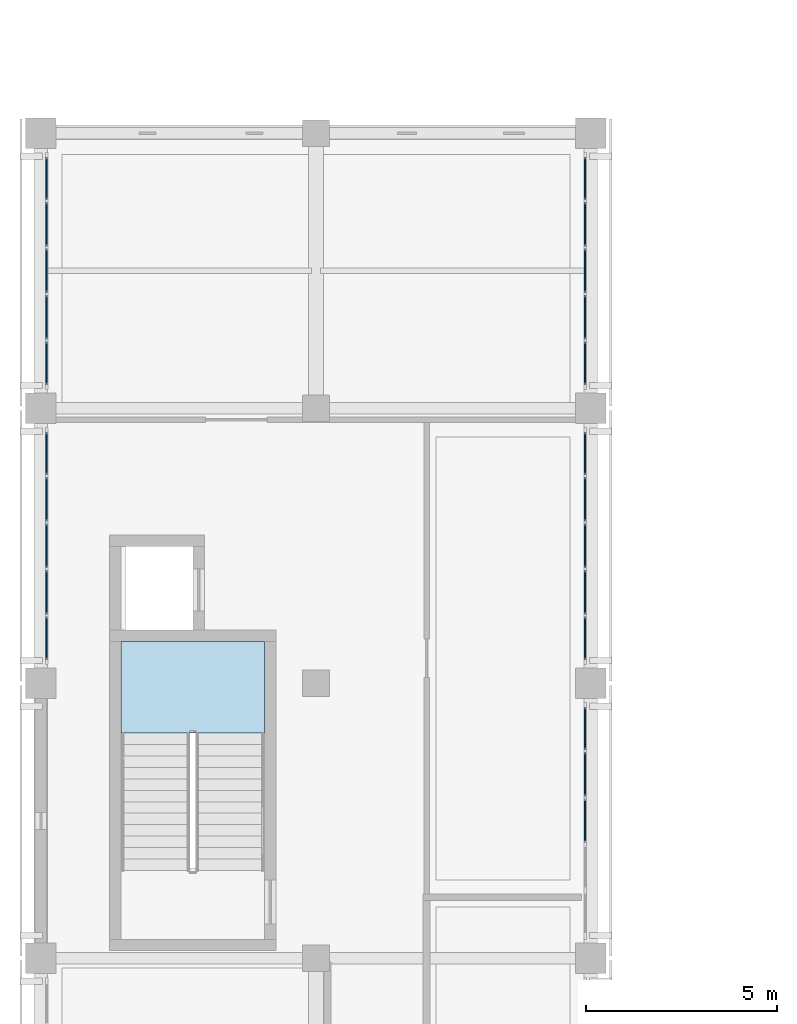
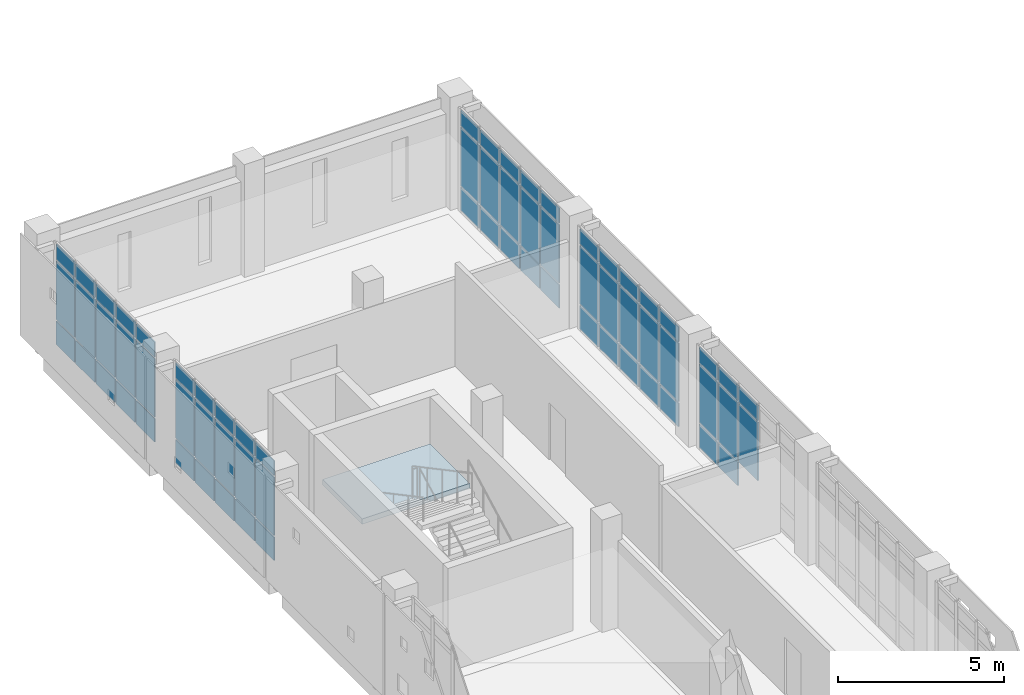
# One storey, part 17 of 33: 68 plates, 1 slab, 6 elements without a shape of their own.
"""IFC4 building model written with IfcOpenShell, lengths in metres."""

import ifcopenshell
import ifcopenshell.guid

model = None  # the IFC model being written
_history = None  # IfcOwnerHistory: only IFC2X3 demands one
_inside = {}  # id of a spatial element -> (the spatial element, [elements in it])
_under = {}  # id of a project, library or spatial element -> (it, [spatial elements below it])
_declared = {}  # id of a project -> (the project, [libraries it declares])
_typed = {}  # id of a type object -> (the type object, [elements of that type])
_made_of = {}  # id of a material, layer set ... -> (it, [elements and type objects made of it])


def new_model(schema):
    """Start an empty IFC model of exactly this schema.

    Asked for "IFC4X3", IfcOpenShell would pick the latest addendum, in which some entities
    have other attributes; the version numbers below select the first issue.
    IFC2X3 requires an IfcOwnerHistory on every rooted entity: one is made here for all.
    """
    global model, _history
    if schema == "IFC4X3":
        model = ifcopenshell.file(schema_version=(4, 3, 0, 0))
    else:
        model = ifcopenshell.file(schema=schema)
    _inside.clear()
    _under.clear()
    _declared.clear()
    _typed.clear()
    _made_of.clear()
    _history = None
    if model.schema == "IFC2X3":
        org = make("IfcOrganization", Name="unknown")
        user = make(
            "IfcPersonAndOrganization",
            ThePerson=make("IfcPerson", FamilyName="unknown"),
            TheOrganization=org,
        )
        app = make(
            "IfcApplication",
            ApplicationDeveloper=org,
            Version="unknown",
            ApplicationFullName="unknown",
            ApplicationIdentifier="unknown",
        )
        _history = make(
            "IfcOwnerHistory",
            OwningUser=user,
            OwningApplication=app,
            ChangeAction="ADDED",
            CreationDate=0,
        )
    return model


def make(cls, **values):
    """One entity of the class cls with the attributes given. An attribute that is None is left unset."""
    return model.create_entity(
        cls, **{name: value for name, value in values.items() if value is not None}
    )


def rooted(cls, **values):
    """An entity with a GlobalId (a new one), such as an element, a storey or a relation."""
    return make(cls, GlobalId=ifcopenshell.guid.new(), OwnerHistory=_history, **values)


def si_unit(unit_type, name, prefix=None):
    """IfcSIUnit, for example si_unit("LENGTHUNIT", "METRE", prefix="MILLI")."""
    return make("IfcSIUnit", UnitType=unit_type, Prefix=prefix, Name=name)


def assignment(units):
    """IfcUnitAssignment: the units of a project."""
    return None if units is None else make("IfcUnitAssignment", Units=units)


def point(xyz):
    """IfcCartesianPoint."""
    return None if xyz is None else make("IfcCartesianPoint", Coordinates=xyz)


def direction(xyz):
    """IfcDirection."""
    return None if xyz is None else make("IfcDirection", DirectionRatios=xyz)


def frame(location, z_axis=None, x_axis=None):
    """IfcAxis2Placement3D, a coordinate frame: its origin and axes. An axis left out is left unset."""
    return make(
        "IfcAxis2Placement3D",
        Location=point(location),
        Axis=direction(z_axis),
        RefDirection=direction(x_axis),
    )


def frame_2d(location, x_axis=None):
    """IfcAxis2Placement2D, a coordinate frame in the plane: its origin and x axis."""
    return make(
        "IfcAxis2Placement2D", Location=point(location), RefDirection=direction(x_axis)
    )


def origin():
    """The frame at (0, 0, 0) with its axes left unset."""
    return frame((0.0, 0.0, 0.0))


def origin_2d():
    """The frame at (0, 0) in the plane with its x axis left unset."""
    return frame_2d((0.0, 0.0))


def place(relative_to, where):
    """IfcLocalPlacement: puts the frame where relative to a parent placement (None: the world)."""
    return make(
        "IfcLocalPlacement", PlacementRelTo=relative_to, RelativePlacement=where
    )


def context(
    kind, dimensions, precision=None, world=None, true_north=None, identifier=None
):
    """IfcGeometricRepresentationContext, for example the 3D "Model" context."""
    return make(
        "IfcGeometricRepresentationContext",
        ContextIdentifier=identifier,
        ContextType=kind,
        CoordinateSpaceDimension=dimensions,
        Precision=precision,
        WorldCoordinateSystem=world,
        TrueNorth=true_north,
    )


def subcontext(parent, identifier, kind, view, scale=None):
    """IfcGeometricRepresentationSubContext, for example "Body" below "Model"."""
    return make(
        "IfcGeometricRepresentationSubContext",
        ContextIdentifier=identifier,
        ContextType=kind,
        ParentContext=parent,
        TargetScale=scale,
        TargetView=view,
    )


def project(units=None, contexts=None):
    """IfcProject with its units and contexts."""
    return rooted(
        "IfcProject",
        Name="project",
        RepresentationContexts=contexts,
        UnitsInContext=assignment(units),
    )


def spatial(cls, under=None, at=None, **own):
    """A site, building, storey or space (cls), placed at a placement, below another one or the project."""
    s = rooted(cls, ObjectPlacement=at, **own)
    if under is not None:
        _under.setdefault(under.id(), (under, []))[1].append(s)
    return s


def polyline(points):
    """IfcPolyline through the points."""
    return make("IfcPolyline", Points=[point(p) for p in points])


def profile(cls, at=None, kind="AREA", **sizes):
    """A parametric profile (cls). Its sizes go by their IFC names, for example OverallWidth=200.0."""
    return make(cls, ProfileType=kind, Position=at, **sizes)


def rectangle(**sizes):
    """IfcRectangleProfileDef."""
    return profile("IfcRectangleProfileDef", **sizes)


def outline(outer, holes=None, kind="AREA"):
    """IfcArbitraryClosedProfileDef: a profile drawn as a closed curve; with holes, ...WithVoids."""
    if holes is None:
        return make("IfcArbitraryClosedProfileDef", ProfileType=kind, OuterCurve=outer)
    return make(
        "IfcArbitraryProfileDefWithVoids",
        ProfileType=kind,
        OuterCurve=outer,
        InnerCurves=holes,
    )


def extrude(swept, where, along, depth):
    """IfcExtrudedAreaSolid: the profile swept, set in the frame where, extruded along a direction by depth."""
    return make(
        "IfcExtrudedAreaSolid",
        SweptArea=swept,
        Position=where,
        ExtrudedDirection=direction(along),
        Depth=depth,
    )


def shape(context_of_items, identifier, shape_type, items):
    """IfcShapeRepresentation: the items that make up one representation, for example the "Body"."""
    return make(
        "IfcShapeRepresentation",
        ContextOfItems=context_of_items,
        RepresentationIdentifier=identifier,
        RepresentationType=shape_type,
        Items=items,
    )


def material(Name=None, Category=None):
    """IfcMaterial."""
    return make("IfcMaterial", Name=Name, Category=Category)


def layer(
    of_material, thickness, ventilated=None, Name=None, Category=None, Priority=None
):
    """IfcMaterialLayer: one layer of a wall or slab, of a material (None: an air gap)."""
    return make(
        "IfcMaterialLayer",
        Material=of_material,
        LayerThickness=thickness,
        IsVentilated=ventilated,
        Name=Name,
        Category=Category,
        Priority=Priority,
    )


def layer_set(layers, Name=None):
    """IfcMaterialLayerSet."""
    return make("IfcMaterialLayerSet", MaterialLayers=layers, LayerSetName=Name)


def made_of(thing, what):
    """Note that an element or type object is made of a material, layer set ...; save() writes the relation."""
    if what is not None:
        _made_of.setdefault(what.id(), (what, []))[1].append(thing)
    return thing


def type_object(cls, material=None, **own):
    """A type object (cls), such as IfcWallType, which elements share."""
    return made_of(rooted(cls, **own), material)


def element(
    cls,
    number,
    at=None,
    inside=None,
    cuts=None,
    type_object=None,
    material=None,
    context=None,
    identifier="Body",
    shape_type=None,
    held_by="IfcProductDefinitionShape",
    body=None,
    shapes=None,
    **own,
):
    """One element of the class cls, such as IfcWall. Its Tag is "e" and its number.

    at: its placement. inside: the storey or other place that contains it. cuts: it is an
    opening in that element (IfcRelVoidsElement). A single representation is given by context,
    identifier, shape_type and body (its items); several are given by shapes. held_by: the class
    of the entity that holds the representations. save() writes the other relations.
    """
    e = rooted(cls, Tag="e%d" % number, ObjectPlacement=at, **own)
    if body is not None:
        shapes = [shape(context, identifier, shape_type, body)]
    if shapes is not None:
        e.Representation = make(held_by, Representations=shapes)
    if inside is not None:
        _inside.setdefault(inside.id(), (inside, []))[1].append(e)
    if cuts is not None:
        rooted(
            "IfcRelVoidsElement", RelatingBuildingElement=cuts, RelatedOpeningElement=e
        )
    if type_object is not None:
        _typed.setdefault(type_object.id(), (type_object, []))[1].append(e)
    return made_of(e, material)


def aggregate(whole, parts):
    """IfcRelAggregates: a whole, such as a stair, and the parts it consists of."""
    return rooted("IfcRelAggregates", RelatingObject=whole, RelatedObjects=parts)


def save(model, path):
    """Write the relations noted so far, then the file.

    IfcRelAggregates (storeys below a building ...), IfcRelContainedInSpatialStructure (elements
    in a storey), IfcRelDefinesByType, IfcRelAssociatesMaterial and IfcRelDeclares: one each for
    every whole, place, type object, material and project.
    """
    for whole, parts in _under.values():
        aggregate(whole, parts)
    for where, things in _inside.values():
        rooted(
            "IfcRelContainedInSpatialStructure",
            RelatedElements=things,
            RelatingStructure=where,
        )
    for kind, things in _typed.values():
        rooted("IfcRelDefinesByType", RelatedObjects=things, RelatingType=kind)
    for what, things in _made_of.values():
        rooted("IfcRelAssociatesMaterial", RelatedObjects=things, RelatingMaterial=what)
    for by, libraries in _declared.values():
        rooted("IfcRelDeclares", RelatingContext=by, RelatedDefinitions=libraries)
    model.write(path)


model = new_model("IFC4")

# Units and contexts
model_context = context("Model", 3, precision=1e-05, world=origin(), true_north=direction((0.0, 1.0)))
body_context = subcontext(model_context, "Body", "Model", "MODEL_VIEW")
ifc_project = project(units=[si_unit("LENGTHUNIT", "METRE"), si_unit("AREAUNIT", "SQUARE_METRE"), si_unit("VOLUMEUNIT", "CUBIC_METRE"), si_unit("PLANEANGLEUNIT", "RADIAN"), si_unit("MASSUNIT", "GRAM", prefix="KILO")], contexts=[model_context])

# Site, building, storey
site_placement = place(None, origin())
site = spatial("IfcSite", under=ifc_project, at=site_placement, CompositionType="ELEMENT")
building_placement = place(site_placement, origin())
building = spatial("IfcBuilding", under=site, at=building_placement, Name="Valkovuoma Quantum and Materials Research Institute", CompositionType="ELEMENT")
storey_placement = place(building_placement, frame((0.0, 0.0, 21.43994140625)))
storey = spatial("IfcBuildingStorey", under=building, at=storey_placement, Name="L05", CompositionType="ELEMENT", Elevation=21.43994140625)

# Curtain wall, plates
ifc_material_1 = material(Name="Thermally broken aluminium and triple low-E glazing", Category="aluminium")
ifc_layer_1 = layer(ifc_material_1, 0.219970703125)
ifc_layer_set_1 = layer_set([ifc_layer_1], Name="Thermally broken aluminium and triple low-E glazing")
curtain_wall_type = type_object("IfcCurtainWallType", Name="CW-CW-01", PredefinedType="NOTDEFINED", material=ifc_layer_set_1)
curtain_wall_1_placement = place(storey_placement, origin())
curtain_wall_1 = element("IfcCurtainWall", 1, at=curtain_wall_1_placement, inside=storey, type_object=curtain_wall_type, Name="L05 curtain wall 069", PredefinedType="NOTDEFINED")
ifc_material_2 = material(Name="Triple low-E argon insulating glass", Category="glass")
ifc_layer_2 = layer(ifc_material_2, 0.035888671875)
ifc_layer_set_2 = layer_set([ifc_layer_2], Name="Triple low-E argon insulating glass")
plate_type_1 = type_object("IfcPlateType", Name="CWPanel-CWP-01", PredefinedType="CURTAIN_PANEL", material=ifc_layer_set_2)
plate_1_placement = place(storey_placement, frame((0.14990234375, 80.3818359375, 0.06494140625), z_axis=(0.0, 0.0, 1.0), x_axis=(0.0, 1.0, 0.0)))
plate_1 = element("IfcPlate", 2, at=plate_1_placement, type_object=plate_type_1, Name="CW-01 panel 1.1", PredefinedType="CURTAIN_PANEL", context=body_context, shape_type="SweptSolid", body=[
    extrude(rectangle(XDim=1.11962890625, YDim=0.035888671875, at=origin_2d()), origin(), (0.0, 0.0, 1.0), 0.8525390625),
])
plate_2_placement = place(storey_placement, frame((0.14990234375, 80.3818359375, 0.982666015625), z_axis=(0.0, 0.0, 1.0), x_axis=(0.0, 1.0, 0.0)))
plate_2 = element("IfcPlate", 3, at=plate_2_placement, type_object=plate_type_1, Name="CW-01 panel 1.2", PredefinedType="CURTAIN_PANEL", context=body_context, shape_type="SweptSolid", body=[
    extrude(rectangle(XDim=1.11962890625, YDim=0.035888671875, at=origin_2d()), origin(), (0.0, 0.0, 1.0), 2.14501953125),
])
plate_3_placement = place(storey_placement, frame((0.14990234375, 80.3818359375, 3.1923828125), z_axis=(0.0, 0.0, 1.0), x_axis=(0.0, 1.0, 0.0)))
plate_3 = element("IfcPlate", 4, at=plate_3_placement, type_object=plate_type_1, Name="CW-01 panel 1.3", PredefinedType="CURTAIN_PANEL", context=body_context, shape_type="SweptSolid", body=[
    extrude(rectangle(XDim=1.11962890625, YDim=0.035888671875, at=origin_2d()), origin(), (0.0, 0.0, 1.0), 0.552490234375),
])
plate_4_placement = place(storey_placement, frame((0.14990234375, 81.582763671875, 0.06494140625), z_axis=(0.0, 0.0, 1.0), x_axis=(0.0, 1.0, 0.0)))
plate_4 = element("IfcPlate", 5, at=plate_4_placement, type_object=plate_type_1, Name="CW-01 panel 2.1", PredefinedType="CURTAIN_PANEL", context=body_context, shape_type="SweptSolid", body=[
    extrude(rectangle(XDim=1.152099609375, YDim=0.035888671875, at=origin_2d()), origin(), (0.0, 0.0, 1.0), 0.8525390625),
])
plate_5_placement = place(storey_placement, frame((0.14990234375, 81.582763671875, 0.982666015625), z_axis=(0.0, 0.0, 1.0), x_axis=(0.0, 1.0, 0.0)))
plate_5 = element("IfcPlate", 6, at=plate_5_placement, type_object=plate_type_1, Name="CW-01 panel 2.2", PredefinedType="CURTAIN_PANEL", context=body_context, shape_type="SweptSolid", body=[
    extrude(rectangle(XDim=1.152099609375, YDim=0.035888671875, at=origin_2d()), origin(), (0.0, 0.0, 1.0), 2.14501953125),
])
plate_6_placement = place(storey_placement, frame((0.14990234375, 81.582763671875, 3.1923828125), z_axis=(0.0, 0.0, 1.0), x_axis=(0.0, 1.0, 0.0)))
plate_6 = element("IfcPlate", 7, at=plate_6_placement, type_object=plate_type_1, Name="CW-01 panel 2.3", PredefinedType="CURTAIN_PANEL", context=body_context, shape_type="SweptSolid", body=[
    extrude(rectangle(XDim=1.152099609375, YDim=0.035888671875, at=origin_2d()), origin(), (0.0, 0.0, 1.0), 0.552490234375),
])
plate_7_placement = place(storey_placement, frame((0.14990234375, 82.800048828125, 0.06494140625), z_axis=(0.0, 0.0, 1.0), x_axis=(0.0, 1.0, 0.0)))
plate_7 = element("IfcPlate", 8, at=plate_7_placement, type_object=plate_type_1, Name="CW-01 panel 3.1", PredefinedType="CURTAIN_PANEL", context=body_context, shape_type="SweptSolid", body=[
    extrude(rectangle(XDim=1.152099609375, YDim=0.035888671875, at=origin_2d()), origin(), (0.0, 0.0, 1.0), 0.8525390625),
])
plate_8_placement = place(storey_placement, frame((0.14990234375, 82.800048828125, 0.982666015625), z_axis=(0.0, 0.0, 1.0), x_axis=(0.0, 1.0, 0.0)))
plate_8 = element("IfcPlate", 9, at=plate_8_placement, type_object=plate_type_1, Name="CW-01 panel 3.2", PredefinedType="CURTAIN_PANEL", context=body_context, shape_type="SweptSolid", body=[
    extrude(rectangle(XDim=1.152099609375, YDim=0.035888671875, at=origin_2d()), origin(), (0.0, 0.0, 1.0), 2.14501953125),
])
plate_9_placement = place(storey_placement, frame((0.14990234375, 82.800048828125, 3.1923828125), z_axis=(0.0, 0.0, 1.0), x_axis=(0.0, 1.0, 0.0)))
plate_9 = element("IfcPlate", 10, at=plate_9_placement, type_object=plate_type_1, Name="CW-01 panel 3.3", PredefinedType="CURTAIN_PANEL", context=body_context, shape_type="SweptSolid", body=[
    extrude(rectangle(XDim=1.152099609375, YDim=0.035888671875, at=origin_2d()), origin(), (0.0, 0.0, 1.0), 0.552490234375),
])
plate_10_placement = place(storey_placement, frame((0.14990234375, 84.01708984375, 0.06494140625), z_axis=(0.0, 0.0, 1.0), x_axis=(0.0, 1.0, 0.0)))
plate_10 = element("IfcPlate", 11, at=plate_10_placement, type_object=plate_type_1, Name="CW-01 panel 4.1", PredefinedType="CURTAIN_PANEL", context=body_context, shape_type="SweptSolid", body=[
    extrude(rectangle(XDim=1.152099609375, YDim=0.035888671875, at=origin_2d()), origin(), (0.0, 0.0, 1.0), 0.8525390625),
])
plate_11_placement = place(storey_placement, frame((0.14990234375, 84.01708984375, 0.982666015625), z_axis=(0.0, 0.0, 1.0), x_axis=(0.0, 1.0, 0.0)))
plate_11 = element("IfcPlate", 12, at=plate_11_placement, type_object=plate_type_1, Name="CW-01 panel 4.2", PredefinedType="CURTAIN_PANEL", context=body_context, shape_type="SweptSolid", body=[
    extrude(rectangle(XDim=1.152099609375, YDim=0.035888671875, at=origin_2d()), origin(), (0.0, 0.0, 1.0), 2.14501953125),
])
plate_12_placement = place(storey_placement, frame((0.14990234375, 84.01708984375, 3.1923828125), z_axis=(0.0, 0.0, 1.0), x_axis=(0.0, 1.0, 0.0)))
plate_12 = element("IfcPlate", 13, at=plate_12_placement, type_object=plate_type_1, Name="CW-01 panel 4.3", PredefinedType="CURTAIN_PANEL", context=body_context, shape_type="SweptSolid", body=[
    extrude(rectangle(XDim=1.152099609375, YDim=0.035888671875, at=origin_2d()), origin(), (0.0, 0.0, 1.0), 0.552490234375),
])
plate_13_placement = place(storey_placement, frame((0.14990234375, 85.218017578125, 0.06494140625), z_axis=(0.0, 0.0, 1.0), x_axis=(0.0, 1.0, 0.0)))
plate_13 = element("IfcPlate", 14, at=plate_13_placement, type_object=plate_type_1, Name="CW-01 panel 5.1", PredefinedType="CURTAIN_PANEL", context=body_context, shape_type="SweptSolid", body=[
    extrude(rectangle(XDim=1.11962890625, YDim=0.035888671875, at=origin_2d()), origin(), (0.0, 0.0, 1.0), 0.8525390625),
])
plate_14_placement = place(storey_placement, frame((0.14990234375, 85.218017578125, 0.982666015625), z_axis=(0.0, 0.0, 1.0), x_axis=(0.0, 1.0, 0.0)))
plate_14 = element("IfcPlate", 15, at=plate_14_placement, type_object=plate_type_1, Name="CW-01 panel 5.2", PredefinedType="CURTAIN_PANEL", context=body_context, shape_type="SweptSolid", body=[
    extrude(rectangle(XDim=1.11962890625, YDim=0.035888671875, at=origin_2d()), origin(), (0.0, 0.0, 1.0), 2.14501953125),
])
plate_15_placement = place(storey_placement, frame((0.14990234375, 85.218017578125, 3.1923828125), z_axis=(0.0, 0.0, 1.0), x_axis=(0.0, 1.0, 0.0)))
plate_15 = element("IfcPlate", 16, at=plate_15_placement, type_object=plate_type_1, Name="CW-01 panel 5.3", PredefinedType="CURTAIN_PANEL", context=body_context, shape_type="SweptSolid", body=[
    extrude(rectangle(XDim=1.11962890625, YDim=0.035888671875, at=origin_2d()), origin(), (0.0, 0.0, 1.0), 0.552490234375),
])
aggregate(curtain_wall_1, [plate_1, plate_2, plate_3, plate_4, plate_5, plate_6, plate_7, plate_8, plate_9, plate_10, plate_11, plate_12, plate_13, plate_14, plate_15])

curtain_wall_2_placement = place(storey_placement, origin())
curtain_wall_2 = element("IfcCurtainWall", 17, at=curtain_wall_2_placement, inside=storey, type_object=curtain_wall_type, Name="L05 curtain wall 071", PredefinedType="NOTDEFINED")
plate_16_placement = place(storey_placement, frame((0.14990234375, 87.58203125, 0.06494140625), z_axis=(0.0, 0.0, 1.0), x_axis=(0.0, 1.0, 0.0)))
plate_16 = element("IfcPlate", 18, at=plate_16_placement, type_object=plate_type_1, Name="CW-01 panel 1.1", PredefinedType="CURTAIN_PANEL", context=body_context, shape_type="SweptSolid", body=[
    extrude(rectangle(XDim=1.11962890625, YDim=0.035888671875, at=origin_2d()), origin(), (0.0, 0.0, 1.0), 0.8525390625),
])
plate_17_placement = place(storey_placement, frame((0.14990234375, 87.58203125, 0.982666015625), z_axis=(0.0, 0.0, 1.0), x_axis=(0.0, 1.0, 0.0)))
plate_17 = element("IfcPlate", 19, at=plate_17_placement, type_object=plate_type_1, Name="CW-01 panel 1.2", PredefinedType="CURTAIN_PANEL", context=body_context, shape_type="SweptSolid", body=[
    extrude(rectangle(XDim=1.11962890625, YDim=0.035888671875, at=origin_2d()), origin(), (0.0, 0.0, 1.0), 2.14501953125),
])
plate_18_placement = place(storey_placement, frame((0.14990234375, 87.58203125, 3.1923828125), z_axis=(0.0, 0.0, 1.0), x_axis=(0.0, 1.0, 0.0)))
plate_18 = element("IfcPlate", 20, at=plate_18_placement, type_object=plate_type_1, Name="CW-01 panel 1.3", PredefinedType="CURTAIN_PANEL", context=body_context, shape_type="SweptSolid", body=[
    extrude(rectangle(XDim=1.11962890625, YDim=0.035888671875, at=origin_2d()), origin(), (0.0, 0.0, 1.0), 0.552490234375),
])
plate_19_placement = place(storey_placement, frame((0.14990234375, 88.782958984375, 0.06494140625), z_axis=(0.0, 0.0, 1.0), x_axis=(0.0, 1.0, 0.0)))
plate_19 = element("IfcPlate", 21, at=plate_19_placement, type_object=plate_type_1, Name="CW-01 panel 2.1", PredefinedType="CURTAIN_PANEL", context=body_context, shape_type="SweptSolid", body=[
    extrude(rectangle(XDim=1.152099609375, YDim=0.035888671875, at=origin_2d()), origin(), (0.0, 0.0, 1.0), 0.8525390625),
])
plate_20_placement = place(storey_placement, frame((0.14990234375, 88.782958984375, 0.982666015625), z_axis=(0.0, 0.0, 1.0), x_axis=(0.0, 1.0, 0.0)))
plate_20 = element("IfcPlate", 22, at=plate_20_placement, type_object=plate_type_1, Name="CW-01 panel 2.2", PredefinedType="CURTAIN_PANEL", context=body_context, shape_type="SweptSolid", body=[
    extrude(rectangle(XDim=1.152099609375, YDim=0.035888671875, at=origin_2d()), origin(), (0.0, 0.0, 1.0), 2.14501953125),
])
plate_21_placement = place(storey_placement, frame((0.14990234375, 88.782958984375, 3.1923828125), z_axis=(0.0, 0.0, 1.0), x_axis=(0.0, 1.0, 0.0)))
plate_21 = element("IfcPlate", 23, at=plate_21_placement, type_object=plate_type_1, Name="CW-01 panel 2.3", PredefinedType="CURTAIN_PANEL", context=body_context, shape_type="SweptSolid", body=[
    extrude(rectangle(XDim=1.152099609375, YDim=0.035888671875, at=origin_2d()), origin(), (0.0, 0.0, 1.0), 0.552490234375),
])
plate_22_placement = place(storey_placement, frame((0.14990234375, 90.0, 0.06494140625), z_axis=(0.0, 0.0, 1.0), x_axis=(0.0, 1.0, 0.0)))
plate_22 = element("IfcPlate", 24, at=plate_22_placement, type_object=plate_type_1, Name="CW-01 panel 3.1", PredefinedType="CURTAIN_PANEL", context=body_context, shape_type="SweptSolid", body=[
    extrude(rectangle(XDim=1.152099609375, YDim=0.035888671875, at=origin_2d()), origin(), (0.0, 0.0, 1.0), 0.8525390625),
])
plate_23_placement = place(storey_placement, frame((0.14990234375, 90.0, 0.982666015625), z_axis=(0.0, 0.0, 1.0), x_axis=(0.0, 1.0, 0.0)))
plate_23 = element("IfcPlate", 25, at=plate_23_placement, type_object=plate_type_1, Name="CW-01 panel 3.2", PredefinedType="CURTAIN_PANEL", context=body_context, shape_type="SweptSolid", body=[
    extrude(rectangle(XDim=1.152099609375, YDim=0.035888671875, at=origin_2d()), origin(), (0.0, 0.0, 1.0), 2.14501953125),
])
plate_24_placement = place(storey_placement, frame((0.14990234375, 90.0, 3.1923828125), z_axis=(0.0, 0.0, 1.0), x_axis=(0.0, 1.0, 0.0)))
plate_24 = element("IfcPlate", 26, at=plate_24_placement, type_object=plate_type_1, Name="CW-01 panel 3.3", PredefinedType="CURTAIN_PANEL", context=body_context, shape_type="SweptSolid", body=[
    extrude(rectangle(XDim=1.152099609375, YDim=0.035888671875, at=origin_2d()), origin(), (0.0, 0.0, 1.0), 0.552490234375),
])
plate_25_placement = place(storey_placement, frame((0.14990234375, 91.217041015625, 0.06494140625), z_axis=(0.0, 0.0, 1.0), x_axis=(0.0, 1.0, 0.0)))
plate_25 = element("IfcPlate", 27, at=plate_25_placement, type_object=plate_type_1, Name="CW-01 panel 4.1", PredefinedType="CURTAIN_PANEL", context=body_context, shape_type="SweptSolid", body=[
    extrude(rectangle(XDim=1.152099609375, YDim=0.035888671875, at=origin_2d()), origin(), (0.0, 0.0, 1.0), 0.8525390625),
])
plate_26_placement = place(storey_placement, frame((0.14990234375, 91.217041015625, 0.982666015625), z_axis=(0.0, 0.0, 1.0), x_axis=(0.0, 1.0, 0.0)))
plate_26 = element("IfcPlate", 28, at=plate_26_placement, type_object=plate_type_1, Name="CW-01 panel 4.2", PredefinedType="CURTAIN_PANEL", context=body_context, shape_type="SweptSolid", body=[
    extrude(rectangle(XDim=1.152099609375, YDim=0.035888671875, at=origin_2d()), origin(), (0.0, 0.0, 1.0), 2.14501953125),
])
plate_27_placement = place(storey_placement, frame((0.14990234375, 91.217041015625, 3.1923828125), z_axis=(0.0, 0.0, 1.0), x_axis=(0.0, 1.0, 0.0)))
plate_27 = element("IfcPlate", 29, at=plate_27_placement, type_object=plate_type_1, Name="CW-01 panel 4.3", PredefinedType="CURTAIN_PANEL", context=body_context, shape_type="SweptSolid", body=[
    extrude(rectangle(XDim=1.152099609375, YDim=0.035888671875, at=origin_2d()), origin(), (0.0, 0.0, 1.0), 0.552490234375),
])
plate_28_placement = place(storey_placement, frame((0.14990234375, 92.41796875, 0.06494140625), z_axis=(0.0, 0.0, 1.0), x_axis=(0.0, 1.0, 0.0)))
plate_28 = element("IfcPlate", 30, at=plate_28_placement, type_object=plate_type_1, Name="CW-01 panel 5.1", PredefinedType="CURTAIN_PANEL", context=body_context, shape_type="SweptSolid", body=[
    extrude(rectangle(XDim=1.11962890625, YDim=0.035888671875, at=origin_2d()), origin(), (0.0, 0.0, 1.0), 0.8525390625),
])
plate_29_placement = place(storey_placement, frame((0.14990234375, 92.41796875, 0.982666015625), z_axis=(0.0, 0.0, 1.0), x_axis=(0.0, 1.0, 0.0)))
plate_29 = element("IfcPlate", 31, at=plate_29_placement, type_object=plate_type_1, Name="CW-01 panel 5.2", PredefinedType="CURTAIN_PANEL", context=body_context, shape_type="SweptSolid", body=[
    extrude(rectangle(XDim=1.11962890625, YDim=0.035888671875, at=origin_2d()), origin(), (0.0, 0.0, 1.0), 2.14501953125),
])
plate_30_placement = place(storey_placement, frame((0.14990234375, 92.41796875, 3.1923828125), z_axis=(0.0, 0.0, 1.0), x_axis=(0.0, 1.0, 0.0)))
plate_30 = element("IfcPlate", 32, at=plate_30_placement, type_object=plate_type_1, Name="CW-01 panel 5.3", PredefinedType="CURTAIN_PANEL", context=body_context, shape_type="SweptSolid", body=[
    extrude(rectangle(XDim=1.11962890625, YDim=0.035888671875, at=origin_2d()), origin(), (0.0, 0.0, 1.0), 0.552490234375),
])
aggregate(curtain_wall_2, [plate_16, plate_17, plate_18, plate_19, plate_20, plate_21, plate_22, plate_23, plate_24, plate_25, plate_26, plate_27, plate_28, plate_29, plate_30])

curtain_wall_3_placement = place(storey_placement, origin())
curtain_wall_3 = element("IfcCurtainWall", 33, at=curtain_wall_3_placement, inside=storey, type_object=curtain_wall_type, Name="L05 curtain wall 068", PredefinedType="NOTDEFINED")
ifc_material_3 = material(Name="Triple low-E argon insulating glass", Category="glass")
ifc_layer_3 = layer(ifc_material_3, 0.0419921875)
ifc_layer_set_3 = layer_set([ifc_layer_3], Name="Triple low-E argon insulating glass")
plate_type_2 = type_object("IfcPlateType", Name="CWPanel-CWP-02", PredefinedType="CURTAIN_PANEL", material=ifc_layer_set_3)
plate_31_placement = place(storey_placement, frame((14.25, 75.60009765625, 0.982666015625), z_axis=(0.0, 0.0, 1.0), x_axis=(0.0, 1.0, 0.0)))
plate_31 = element("IfcPlate", 34, at=plate_31_placement, type_object=plate_type_2, Name="CW-01 panel 3.2", PredefinedType="CURTAIN_PANEL", context=body_context, shape_type="SweptSolid", body=[
    extrude(rectangle(XDim=1.152099609375, YDim=0.0419921875, at=origin_2d()), origin(), (0.0, 0.0, 1.0), 2.14501953125),
])
plate_32_placement = place(storey_placement, frame((14.25, 75.60009765625, 3.1923828125), z_axis=(0.0, 0.0, 1.0), x_axis=(0.0, 1.0, 0.0)))
plate_32 = element("IfcPlate", 35, at=plate_32_placement, type_object=plate_type_2, Name="CW-01 panel 3.3", PredefinedType="CURTAIN_PANEL", context=body_context, shape_type="SweptSolid", body=[
    extrude(rectangle(XDim=1.152099609375, YDim=0.0419921875, at=origin_2d()), origin(), (0.0, 0.0, 1.0), 0.552490234375),
])
plate_33_placement = place(storey_placement, frame((14.25, 76.817138671875, 0.06494140625), z_axis=(0.0, 0.0, 1.0), x_axis=(0.0, 1.0, 0.0)))
plate_33 = element("IfcPlate", 36, at=plate_33_placement, type_object=plate_type_2, Name="CW-01 panel 4.1", PredefinedType="CURTAIN_PANEL", context=body_context, shape_type="SweptSolid", body=[
    extrude(rectangle(XDim=1.152099609375, YDim=0.0419921875, at=origin_2d()), origin(), (0.0, 0.0, 1.0), 0.8525390625),
])
plate_34_placement = place(storey_placement, frame((14.25, 76.817138671875, 0.982666015625), z_axis=(0.0, 0.0, 1.0), x_axis=(0.0, 1.0, 0.0)))
plate_34 = element("IfcPlate", 37, at=plate_34_placement, type_object=plate_type_2, Name="CW-01 panel 4.2", PredefinedType="CURTAIN_PANEL", context=body_context, shape_type="SweptSolid", body=[
    extrude(rectangle(XDim=1.152099609375, YDim=0.0419921875, at=origin_2d()), origin(), (0.0, 0.0, 1.0), 2.14501953125),
])
plate_35_placement = place(storey_placement, frame((14.25, 76.817138671875, 3.1923828125), z_axis=(0.0, 0.0, 1.0), x_axis=(0.0, 1.0, 0.0)))
plate_35 = element("IfcPlate", 38, at=plate_35_placement, type_object=plate_type_2, Name="CW-01 panel 4.3", PredefinedType="CURTAIN_PANEL", context=body_context, shape_type="SweptSolid", body=[
    extrude(rectangle(XDim=1.152099609375, YDim=0.0419921875, at=origin_2d()), origin(), (0.0, 0.0, 1.0), 0.552490234375),
])
plate_36_placement = place(storey_placement, frame((14.25, 78.01806640625, 0.06494140625), z_axis=(0.0, 0.0, 1.0), x_axis=(0.0, 1.0, 0.0)))
plate_36 = element("IfcPlate", 39, at=plate_36_placement, type_object=plate_type_2, Name="CW-01 panel 5.1", PredefinedType="CURTAIN_PANEL", context=body_context, shape_type="SweptSolid", body=[
    extrude(rectangle(XDim=1.11962890625, YDim=0.0419921875, at=origin_2d()), origin(), (0.0, 0.0, 1.0), 0.8525390625),
])
plate_37_placement = place(storey_placement, frame((14.25, 78.01806640625, 0.982666015625), z_axis=(0.0, 0.0, 1.0), x_axis=(0.0, 1.0, 0.0)))
plate_37 = element("IfcPlate", 40, at=plate_37_placement, type_object=plate_type_2, Name="CW-01 panel 5.2", PredefinedType="CURTAIN_PANEL", context=body_context, shape_type="SweptSolid", body=[
    extrude(rectangle(XDim=1.11962890625, YDim=0.0419921875, at=origin_2d()), origin(), (0.0, 0.0, 1.0), 2.14501953125),
])
plate_38_placement = place(storey_placement, frame((14.25, 78.01806640625, 3.1923828125), z_axis=(0.0, 0.0, 1.0), x_axis=(0.0, 1.0, 0.0)))
plate_38 = element("IfcPlate", 41, at=plate_38_placement, type_object=plate_type_2, Name="CW-01 panel 5.3", PredefinedType="CURTAIN_PANEL", context=body_context, shape_type="SweptSolid", body=[
    extrude(rectangle(XDim=1.11962890625, YDim=0.0419921875, at=origin_2d()), origin(), (0.0, 0.0, 1.0), 0.552490234375),
])
aggregate(curtain_wall_3, [plate_31, plate_32, plate_33, plate_34, plate_35, plate_36, plate_37, plate_38])

curtain_wall_4_placement = place(storey_placement, origin())
curtain_wall_4 = element("IfcCurtainWall", 42, at=curtain_wall_4_placement, inside=storey, type_object=curtain_wall_type, Name="L05 curtain wall 070", PredefinedType="NOTDEFINED")
plate_39_placement = place(storey_placement, frame((14.25, 80.3818359375, 0.06494140625), z_axis=(0.0, 0.0, 1.0), x_axis=(0.0, 1.0, 0.0)))
plate_39 = element("IfcPlate", 43, at=plate_39_placement, type_object=plate_type_2, Name="CW-01 panel 1.1", PredefinedType="CURTAIN_PANEL", context=body_context, shape_type="SweptSolid", body=[
    extrude(rectangle(XDim=1.11962890625, YDim=0.0419921875, at=origin_2d()), origin(), (0.0, 0.0, 1.0), 0.8525390625),
])
plate_40_placement = place(storey_placement, frame((14.25, 80.3818359375, 0.982666015625), z_axis=(0.0, 0.0, 1.0), x_axis=(0.0, 1.0, 0.0)))
plate_40 = element("IfcPlate", 44, at=plate_40_placement, type_object=plate_type_2, Name="CW-01 panel 1.2", PredefinedType="CURTAIN_PANEL", context=body_context, shape_type="SweptSolid", body=[
    extrude(rectangle(XDim=1.11962890625, YDim=0.0419921875, at=origin_2d()), origin(), (0.0, 0.0, 1.0), 2.14501953125),
])
plate_41_placement = place(storey_placement, frame((14.25, 80.3818359375, 3.1923828125), z_axis=(0.0, 0.0, 1.0), x_axis=(0.0, 1.0, 0.0)))
plate_41 = element("IfcPlate", 45, at=plate_41_placement, type_object=plate_type_2, Name="CW-01 panel 1.3", PredefinedType="CURTAIN_PANEL", context=body_context, shape_type="SweptSolid", body=[
    extrude(rectangle(XDim=1.11962890625, YDim=0.0419921875, at=origin_2d()), origin(), (0.0, 0.0, 1.0), 0.552490234375),
])
plate_42_placement = place(storey_placement, frame((14.25, 81.582763671875, 0.06494140625), z_axis=(0.0, 0.0, 1.0), x_axis=(0.0, 1.0, 0.0)))
plate_42 = element("IfcPlate", 46, at=plate_42_placement, type_object=plate_type_2, Name="CW-01 panel 2.1", PredefinedType="CURTAIN_PANEL", context=body_context, shape_type="SweptSolid", body=[
    extrude(rectangle(XDim=1.152099609375, YDim=0.0419921875, at=origin_2d()), origin(), (0.0, 0.0, 1.0), 0.8525390625),
])
plate_43_placement = place(storey_placement, frame((14.25, 81.582763671875, 0.982666015625), z_axis=(0.0, 0.0, 1.0), x_axis=(0.0, 1.0, 0.0)))
plate_43 = element("IfcPlate", 47, at=plate_43_placement, type_object=plate_type_2, Name="CW-01 panel 2.2", PredefinedType="CURTAIN_PANEL", context=body_context, shape_type="SweptSolid", body=[
    extrude(rectangle(XDim=1.152099609375, YDim=0.0419921875, at=origin_2d()), origin(), (0.0, 0.0, 1.0), 2.14501953125),
])
plate_44_placement = place(storey_placement, frame((14.25, 81.582763671875, 3.1923828125), z_axis=(0.0, 0.0, 1.0), x_axis=(0.0, 1.0, 0.0)))
plate_44 = element("IfcPlate", 48, at=plate_44_placement, type_object=plate_type_2, Name="CW-01 panel 2.3", PredefinedType="CURTAIN_PANEL", context=body_context, shape_type="SweptSolid", body=[
    extrude(rectangle(XDim=1.152099609375, YDim=0.0419921875, at=origin_2d()), origin(), (0.0, 0.0, 1.0), 0.552490234375),
])
plate_45_placement = place(storey_placement, frame((14.25, 82.800048828125, 0.06494140625), z_axis=(0.0, 0.0, 1.0), x_axis=(0.0, 1.0, 0.0)))
plate_45 = element("IfcPlate", 49, at=plate_45_placement, type_object=plate_type_2, Name="CW-01 panel 3.1", PredefinedType="CURTAIN_PANEL", context=body_context, shape_type="SweptSolid", body=[
    extrude(rectangle(XDim=1.152099609375, YDim=0.0419921875, at=origin_2d()), origin(), (0.0, 0.0, 1.0), 0.8525390625),
])
plate_46_placement = place(storey_placement, frame((14.25, 82.800048828125, 0.982666015625), z_axis=(0.0, 0.0, 1.0), x_axis=(0.0, 1.0, 0.0)))
plate_46 = element("IfcPlate", 50, at=plate_46_placement, type_object=plate_type_2, Name="CW-01 panel 3.2", PredefinedType="CURTAIN_PANEL", context=body_context, shape_type="SweptSolid", body=[
    extrude(rectangle(XDim=1.152099609375, YDim=0.0419921875, at=origin_2d()), origin(), (0.0, 0.0, 1.0), 2.14501953125),
])
plate_47_placement = place(storey_placement, frame((14.25, 82.800048828125, 3.1923828125), z_axis=(0.0, 0.0, 1.0), x_axis=(0.0, 1.0, 0.0)))
plate_47 = element("IfcPlate", 51, at=plate_47_placement, type_object=plate_type_2, Name="CW-01 panel 3.3", PredefinedType="CURTAIN_PANEL", context=body_context, shape_type="SweptSolid", body=[
    extrude(rectangle(XDim=1.152099609375, YDim=0.0419921875, at=origin_2d()), origin(), (0.0, 0.0, 1.0), 0.552490234375),
])
plate_48_placement = place(storey_placement, frame((14.25, 84.01708984375, 0.06494140625), z_axis=(0.0, 0.0, 1.0), x_axis=(0.0, 1.0, 0.0)))
plate_48 = element("IfcPlate", 52, at=plate_48_placement, type_object=plate_type_2, Name="CW-01 panel 4.1", PredefinedType="CURTAIN_PANEL", context=body_context, shape_type="SweptSolid", body=[
    extrude(rectangle(XDim=1.152099609375, YDim=0.0419921875, at=origin_2d()), origin(), (0.0, 0.0, 1.0), 0.8525390625),
])
plate_49_placement = place(storey_placement, frame((14.25, 84.01708984375, 0.982666015625), z_axis=(0.0, 0.0, 1.0), x_axis=(0.0, 1.0, 0.0)))
plate_49 = element("IfcPlate", 53, at=plate_49_placement, type_object=plate_type_2, Name="CW-01 panel 4.2", PredefinedType="CURTAIN_PANEL", context=body_context, shape_type="SweptSolid", body=[
    extrude(rectangle(XDim=1.152099609375, YDim=0.0419921875, at=origin_2d()), origin(), (0.0, 0.0, 1.0), 2.14501953125),
])
plate_50_placement = place(storey_placement, frame((14.25, 84.01708984375, 3.1923828125), z_axis=(0.0, 0.0, 1.0), x_axis=(0.0, 1.0, 0.0)))
plate_50 = element("IfcPlate", 54, at=plate_50_placement, type_object=plate_type_2, Name="CW-01 panel 4.3", PredefinedType="CURTAIN_PANEL", context=body_context, shape_type="SweptSolid", body=[
    extrude(rectangle(XDim=1.152099609375, YDim=0.0419921875, at=origin_2d()), origin(), (0.0, 0.0, 1.0), 0.552490234375),
])
plate_51_placement = place(storey_placement, frame((14.25, 85.218017578125, 0.06494140625), z_axis=(0.0, 0.0, 1.0), x_axis=(0.0, 1.0, 0.0)))
plate_51 = element("IfcPlate", 55, at=plate_51_placement, type_object=plate_type_2, Name="CW-01 panel 5.1", PredefinedType="CURTAIN_PANEL", context=body_context, shape_type="SweptSolid", body=[
    extrude(rectangle(XDim=1.11962890625, YDim=0.0419921875, at=origin_2d()), origin(), (0.0, 0.0, 1.0), 0.8525390625),
])
plate_52_placement = place(storey_placement, frame((14.25, 85.218017578125, 0.982666015625), z_axis=(0.0, 0.0, 1.0), x_axis=(0.0, 1.0, 0.0)))
plate_52 = element("IfcPlate", 56, at=plate_52_placement, type_object=plate_type_2, Name="CW-01 panel 5.2", PredefinedType="CURTAIN_PANEL", context=body_context, shape_type="SweptSolid", body=[
    extrude(rectangle(XDim=1.11962890625, YDim=0.0419921875, at=origin_2d()), origin(), (0.0, 0.0, 1.0), 2.14501953125),
])
plate_53_placement = place(storey_placement, frame((14.25, 85.218017578125, 3.1923828125), z_axis=(0.0, 0.0, 1.0), x_axis=(0.0, 1.0, 0.0)))
plate_53 = element("IfcPlate", 57, at=plate_53_placement, type_object=plate_type_2, Name="CW-01 panel 5.3", PredefinedType="CURTAIN_PANEL", context=body_context, shape_type="SweptSolid", body=[
    extrude(rectangle(XDim=1.11962890625, YDim=0.0419921875, at=origin_2d()), origin(), (0.0, 0.0, 1.0), 0.552490234375),
])
aggregate(curtain_wall_4, [plate_39, plate_40, plate_41, plate_42, plate_43, plate_44, plate_45, plate_46, plate_47, plate_48, plate_49, plate_50, plate_51, plate_52, plate_53])

curtain_wall_5_placement = place(storey_placement, origin())
curtain_wall_5 = element("IfcCurtainWall", 58, at=curtain_wall_5_placement, inside=storey, type_object=curtain_wall_type, Name="L05 curtain wall 072", PredefinedType="NOTDEFINED")
plate_54_placement = place(storey_placement, frame((14.25, 87.58203125, 0.06494140625), z_axis=(0.0, 0.0, 1.0), x_axis=(0.0, 1.0, 0.0)))
plate_54 = element("IfcPlate", 59, at=plate_54_placement, type_object=plate_type_2, Name="CW-01 panel 1.1", PredefinedType="CURTAIN_PANEL", context=body_context, shape_type="SweptSolid", body=[
    extrude(rectangle(XDim=1.11962890625, YDim=0.0419921875, at=origin_2d()), origin(), (0.0, 0.0, 1.0), 0.8525390625),
])
plate_55_placement = place(storey_placement, frame((14.25, 87.58203125, 0.982666015625), z_axis=(0.0, 0.0, 1.0), x_axis=(0.0, 1.0, 0.0)))
plate_55 = element("IfcPlate", 60, at=plate_55_placement, type_object=plate_type_2, Name="CW-01 panel 1.2", PredefinedType="CURTAIN_PANEL", context=body_context, shape_type="SweptSolid", body=[
    extrude(rectangle(XDim=1.11962890625, YDim=0.0419921875, at=origin_2d()), origin(), (0.0, 0.0, 1.0), 2.14501953125),
])
plate_56_placement = place(storey_placement, frame((14.25, 87.58203125, 3.1923828125), z_axis=(0.0, 0.0, 1.0), x_axis=(0.0, 1.0, 0.0)))
plate_56 = element("IfcPlate", 61, at=plate_56_placement, type_object=plate_type_2, Name="CW-01 panel 1.3", PredefinedType="CURTAIN_PANEL", context=body_context, shape_type="SweptSolid", body=[
    extrude(rectangle(XDim=1.11962890625, YDim=0.0419921875, at=origin_2d()), origin(), (0.0, 0.0, 1.0), 0.552490234375),
])
plate_57_placement = place(storey_placement, frame((14.25, 88.782958984375, 0.06494140625), z_axis=(0.0, 0.0, 1.0), x_axis=(0.0, 1.0, 0.0)))
plate_57 = element("IfcPlate", 62, at=plate_57_placement, type_object=plate_type_2, Name="CW-01 panel 2.1", PredefinedType="CURTAIN_PANEL", context=body_context, shape_type="SweptSolid", body=[
    extrude(rectangle(XDim=1.152099609375, YDim=0.0419921875, at=origin_2d()), origin(), (0.0, 0.0, 1.0), 0.8525390625),
])
plate_58_placement = place(storey_placement, frame((14.25, 88.782958984375, 0.982666015625), z_axis=(0.0, 0.0, 1.0), x_axis=(0.0, 1.0, 0.0)))
plate_58 = element("IfcPlate", 63, at=plate_58_placement, type_object=plate_type_2, Name="CW-01 panel 2.2", PredefinedType="CURTAIN_PANEL", context=body_context, shape_type="SweptSolid", body=[
    extrude(rectangle(XDim=1.152099609375, YDim=0.0419921875, at=origin_2d()), origin(), (0.0, 0.0, 1.0), 2.14501953125),
])
plate_59_placement = place(storey_placement, frame((14.25, 88.782958984375, 3.1923828125), z_axis=(0.0, 0.0, 1.0), x_axis=(0.0, 1.0, 0.0)))
plate_59 = element("IfcPlate", 64, at=plate_59_placement, type_object=plate_type_2, Name="CW-01 panel 2.3", PredefinedType="CURTAIN_PANEL", context=body_context, shape_type="SweptSolid", body=[
    extrude(rectangle(XDim=1.152099609375, YDim=0.0419921875, at=origin_2d()), origin(), (0.0, 0.0, 1.0), 0.552490234375),
])
plate_60_placement = place(storey_placement, frame((14.25, 90.0, 0.06494140625), z_axis=(0.0, 0.0, 1.0), x_axis=(0.0, 1.0, 0.0)))
plate_60 = element("IfcPlate", 65, at=plate_60_placement, type_object=plate_type_2, Name="CW-01 panel 3.1", PredefinedType="CURTAIN_PANEL", context=body_context, shape_type="SweptSolid", body=[
    extrude(rectangle(XDim=1.152099609375, YDim=0.0419921875, at=origin_2d()), origin(), (0.0, 0.0, 1.0), 0.8525390625),
])
plate_61_placement = place(storey_placement, frame((14.25, 90.0, 0.982666015625), z_axis=(0.0, 0.0, 1.0), x_axis=(0.0, 1.0, 0.0)))
plate_61 = element("IfcPlate", 66, at=plate_61_placement, type_object=plate_type_2, Name="CW-01 panel 3.2", PredefinedType="CURTAIN_PANEL", context=body_context, shape_type="SweptSolid", body=[
    extrude(rectangle(XDim=1.152099609375, YDim=0.0419921875, at=origin_2d()), origin(), (0.0, 0.0, 1.0), 2.14501953125),
])
plate_62_placement = place(storey_placement, frame((14.25, 90.0, 3.1923828125), z_axis=(0.0, 0.0, 1.0), x_axis=(0.0, 1.0, 0.0)))
plate_62 = element("IfcPlate", 67, at=plate_62_placement, type_object=plate_type_2, Name="CW-01 panel 3.3", PredefinedType="CURTAIN_PANEL", context=body_context, shape_type="SweptSolid", body=[
    extrude(rectangle(XDim=1.152099609375, YDim=0.0419921875, at=origin_2d()), origin(), (0.0, 0.0, 1.0), 0.552490234375),
])
plate_63_placement = place(storey_placement, frame((14.25, 91.217041015625, 0.06494140625), z_axis=(0.0, 0.0, 1.0), x_axis=(0.0, 1.0, 0.0)))
plate_63 = element("IfcPlate", 68, at=plate_63_placement, type_object=plate_type_2, Name="CW-01 panel 4.1", PredefinedType="CURTAIN_PANEL", context=body_context, shape_type="SweptSolid", body=[
    extrude(rectangle(XDim=1.152099609375, YDim=0.0419921875, at=origin_2d()), origin(), (0.0, 0.0, 1.0), 0.8525390625),
])
plate_64_placement = place(storey_placement, frame((14.25, 91.217041015625, 0.982666015625), z_axis=(0.0, 0.0, 1.0), x_axis=(0.0, 1.0, 0.0)))
plate_64 = element("IfcPlate", 69, at=plate_64_placement, type_object=plate_type_2, Name="CW-01 panel 4.2", PredefinedType="CURTAIN_PANEL", context=body_context, shape_type="SweptSolid", body=[
    extrude(rectangle(XDim=1.152099609375, YDim=0.0419921875, at=origin_2d()), origin(), (0.0, 0.0, 1.0), 2.14501953125),
])
plate_65_placement = place(storey_placement, frame((14.25, 91.217041015625, 3.1923828125), z_axis=(0.0, 0.0, 1.0), x_axis=(0.0, 1.0, 0.0)))
plate_65 = element("IfcPlate", 70, at=plate_65_placement, type_object=plate_type_2, Name="CW-01 panel 4.3", PredefinedType="CURTAIN_PANEL", context=body_context, shape_type="SweptSolid", body=[
    extrude(rectangle(XDim=1.152099609375, YDim=0.0419921875, at=origin_2d()), origin(), (0.0, 0.0, 1.0), 0.552490234375),
])
plate_66_placement = place(storey_placement, frame((14.25, 92.41796875, 0.06494140625), z_axis=(0.0, 0.0, 1.0), x_axis=(0.0, 1.0, 0.0)))
plate_66 = element("IfcPlate", 71, at=plate_66_placement, type_object=plate_type_2, Name="CW-01 panel 5.1", PredefinedType="CURTAIN_PANEL", context=body_context, shape_type="SweptSolid", body=[
    extrude(rectangle(XDim=1.11962890625, YDim=0.0419921875, at=origin_2d()), origin(), (0.0, 0.0, 1.0), 0.8525390625),
])
plate_67_placement = place(storey_placement, frame((14.25, 92.41796875, 0.982666015625), z_axis=(0.0, 0.0, 1.0), x_axis=(0.0, 1.0, 0.0)))
plate_67 = element("IfcPlate", 72, at=plate_67_placement, type_object=plate_type_2, Name="CW-01 panel 5.2", PredefinedType="CURTAIN_PANEL", context=body_context, shape_type="SweptSolid", body=[
    extrude(rectangle(XDim=1.11962890625, YDim=0.0419921875, at=origin_2d()), origin(), (0.0, 0.0, 1.0), 2.14501953125),
])
plate_68_placement = place(storey_placement, frame((14.25, 92.41796875, 3.1923828125), z_axis=(0.0, 0.0, 1.0), x_axis=(0.0, 1.0, 0.0)))
plate_68 = element("IfcPlate", 73, at=plate_68_placement, type_object=plate_type_2, Name="CW-01 panel 5.3", PredefinedType="CURTAIN_PANEL", context=body_context, shape_type="SweptSolid", body=[
    extrude(rectangle(XDim=1.11962890625, YDim=0.0419921875, at=origin_2d()), origin(), (0.0, 0.0, 1.0), 0.552490234375),
])
aggregate(curtain_wall_5, [plate_54, plate_55, plate_56, plate_57, plate_58, plate_59, plate_60, plate_61, plate_62, plate_63, plate_64, plate_65, plate_66, plate_67, plate_68])

# Stair, slab
ifc_material_4 = material(Name="Concrete C40/50", Category="concrete")
stair_type = type_object("IfcStairType", Name="Stair-ST-COR", PredefinedType="HALF_TURN_STAIR", material=ifc_material_4)
stair_placement = place(storey_placement, origin())
stair = element("IfcStair", 74, at=stair_placement, inside=storey, type_object=stair_type, Name="L05 Exit Stair ST-2", PredefinedType="HALF_TURN_STAIR")
ifc_material_5 = material(Name="Concrete C40/50", Category="concrete")
ifc_layer_4 = layer(ifc_material_5, 0.199951171875)
ifc_layer_set_4 = layer_set([ifc_layer_4], Name="Concrete C40/50")
slab_type = type_object("IfcSlabType", Name="Slab-SL-LND200", PredefinedType="LANDING", material=ifc_layer_set_4)
slab_placement = place(storey_placement, frame((0.0, 0.0, 1.880126953125)))
slab = element("IfcSlab", 75, at=slab_placement, type_object=slab_type, Name="ST-2 landing 1", PredefinedType="LANDING", context=body_context, shape_type="SweptSolid", body=[
    extrude(outline(polyline([(5.85009765625, 77.89990234375), (5.85009765625, 80.300048828125), (2.10009765625, 80.300048828125), (2.10009765625, 77.89990234375), (5.85009765625, 77.89990234375)])), origin(), (0.0, 0.0, 1.0), 0.199951171875),
])
aggregate(stair, [slab])

save(model, "model.ifc")
